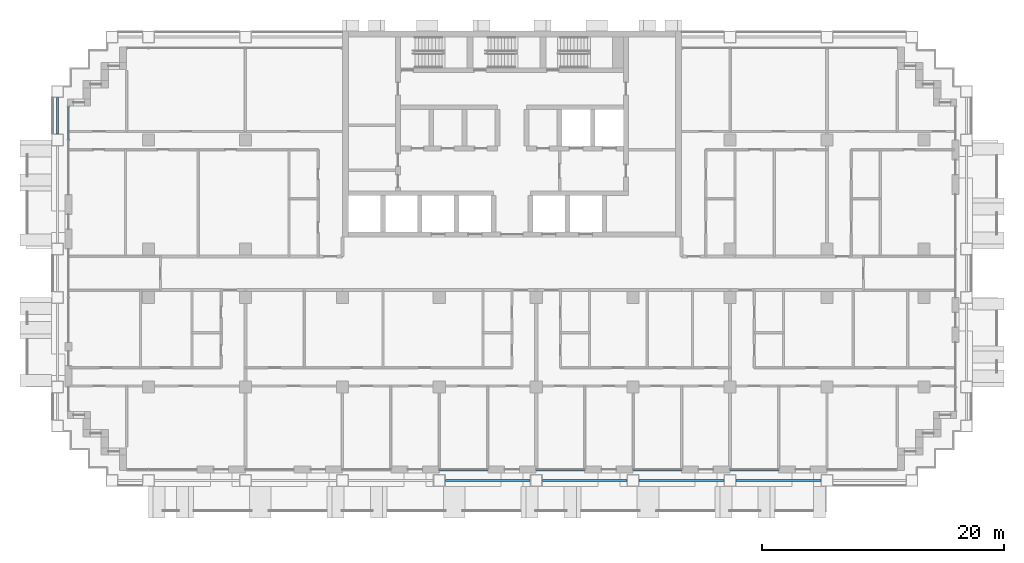
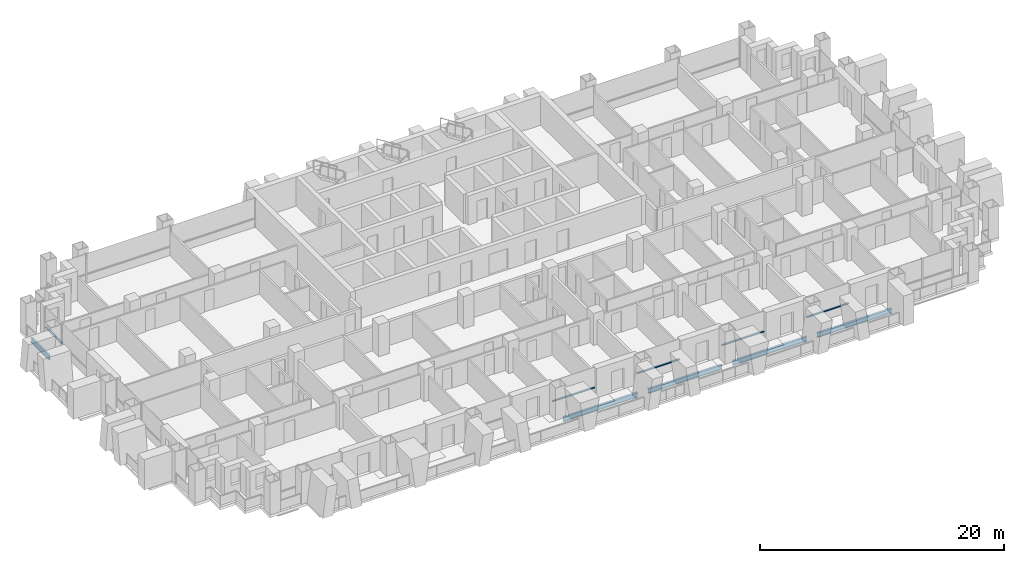
# One storey, part 3 of 18: 5 beams, 5 members, 5 elements without a shape of their own.
"""IFC4 building model written with IfcOpenShell, lengths in metres."""

from ifc_helpers import new_model, si_unit, direction, frame, origin, origin_2d, place, context, subcontext, project, spatial, rectangle, i_section, extrude, material, material_profile, profile_set, type_object, element, aggregate, save


model = new_model("IFC4")

# Units and contexts
model_context = context("Model", 3, precision=1e-05, world=origin(), true_north=direction((0.0, 1.0)))
body_context = subcontext(model_context, "Body", "Model", "MODEL_VIEW")
ifc_project = project(units=[si_unit("LENGTHUNIT", "METRE"), si_unit("AREAUNIT", "SQUARE_METRE"), si_unit("VOLUMEUNIT", "CUBIC_METRE"), si_unit("PLANEANGLEUNIT", "RADIAN"), si_unit("MASSUNIT", "GRAM", prefix="KILO")], contexts=[model_context])

# Site, building, storey
site_placement = place(None, origin())
site = spatial("IfcSite", under=ifc_project, at=site_placement, CompositionType="ELEMENT")
building_placement = place(site_placement, origin())
building = spatial("IfcBuilding", under=site, at=building_placement, Name="Vidyagriha Tower", CompositionType="ELEMENT")
storey_placement = place(building_placement, frame((0.0, 0.0, 41.60009765625)))
storey = spatial("IfcBuildingStorey", under=building, at=storey_placement, Name="L10", CompositionType="ELEMENT", Elevation=41.60009765625)

# Beams
ifc_material_1 = material(Name="Steel ASTM A992 Grade 50", Category="steel")
ifc_material_profile_1 = material_profile(ifc_material_1, i_section(OverallWidth=0.19189453125, OverallDepth=0.46240234375, WebThickness=0.010498046875, FlangeThickness=0.017578125, at=origin_2d()), Name="W18X60")
ifc_profile_set_1 = profile_set([ifc_material_profile_1], Name="Steel ASTM A992 Grade 50")
beam_type = type_object("IfcBeamType", Name="Edge beam W18X60", PredefinedType="SPANDREL", material=ifc_profile_set_1)
for number, where, z_axis, x_axis, name in (
    (1, (-5.5, -17.10009765625, -0.51123046875), (1.0, 0.0, 0.0), (0.0, 1.0, 0.0), "st-beam-L10-S05"),
    (2, (2.5, -17.10009765625, -0.51123046875), (1.0, 0.0, 0.0), (0.0, 1.0, 0.0), "st-beam-L10-S06"),
    (3, (10.5, -17.10009765625, -0.51123046875), (1.0, 0.0, 0.0), (0.0, 1.0, 0.0), "st-beam-L10-S07"),
    (4, (18.5, -17.10009765625, -0.51123046875), (1.0, 0.0, 0.0), (0.0, 1.0, 0.0), "st-beam-L10-S08"),
):
    element("IfcBeam", number, at=place(storey_placement, frame(where, z_axis=z_axis, x_axis=x_axis)), inside=storey, type_object=beam_type, Name=name, PredefinedType="SPANDREL", context=body_context, shape_type="SweptSolid", body=[
        extrude(i_section(OverallWidth=0.19189453125, OverallDepth=0.46240234375, WebThickness=0.010498046875, FlangeThickness=0.017578125, at=origin_2d()), origin(), (0.0, 0.0, 1.0), 7.0),
    ])
beam_placement = place(storey_placement, frame((-37.5, 11.5, -0.51123046875), z_axis=(0.0, 1.0, 0.0), x_axis=(-1.0, 0.0, 0.0)))
element("IfcBeam", 5, at=beam_placement, inside=storey, type_object=beam_type, Name="st-beam-L10-W14", PredefinedType="SPANDREL", context=body_context, shape_type="SweptSolid", body=[
    extrude(i_section(OverallWidth=0.19189453125, OverallDepth=0.46240234375, WebThickness=0.010498046875, FlangeThickness=0.017578125, at=origin_2d()), origin(), (0.0, 0.0, 1.0), 3.0),
])

# Curtain wall, member
ifc_material_2 = material(Name="Aluminium and glass curtain wall", Category="aluminium")
curtain_wall_type = type_object("IfcCurtainWallType", Name="Dwelling skin unitised curtain wall", PredefinedType="USERDEFINED", material=ifc_material_2)
curtain_wall_1_placement = place(storey_placement, origin())
curtain_wall_1 = element("IfcCurtainWall", 6, at=curtain_wall_1_placement, inside=storey, type_object=curtain_wall_type, Name="CW1 dwelling skin", ObjectType="UNITISED", PredefinedType="USERDEFINED")
ifc_material_3 = material(Name="Aluminium black anodised", Category="aluminium")
ifc_material_profile_2 = material_profile(ifc_material_3, rectangle(XDim=0.159912109375, YDim=0.10009765625, at=origin_2d()), Name="Transom 100x160 black aluminium")
ifc_profile_set_2 = profile_set([ifc_material_profile_2], Name="Aluminium black anodised")
member_type = type_object("IfcMemberType", Name="Transom 100x160 black aluminium", PredefinedType="USERDEFINED", material=ifc_profile_set_2)
member_1_placement = place(storey_placement, frame((-36.60009765625, 13.72998046875, 0.89990234375), z_axis=(0.0, -1.0, 0.0), x_axis=(1.0, 0.0, 0.0)))
member_1 = element("IfcMember", 7, at=member_1_placement, type_object=member_type, Name="CW1 transom 1.1", ObjectType="TRANSOM", PredefinedType="USERDEFINED", context=body_context, shape_type="SweptSolid", body=[
    extrude(rectangle(XDim=0.159912109375, YDim=0.10009765625, at=origin_2d()), origin(), (0.0, 0.0, 1.0), 2.695068359375),
])
aggregate(curtain_wall_1, [member_1])

curtain_wall_2_placement = place(storey_placement, origin())
curtain_wall_2 = element("IfcCurtainWall", 8, at=curtain_wall_2_placement, inside=storey, type_object=curtain_wall_type, Name="CW1 dwelling skin", ObjectType="UNITISED", PredefinedType="USERDEFINED")
member_2_placement = place(storey_placement, frame((-6.0, -16.199951171875, 0.89990234375), z_axis=(1.0, 0.0, 0.0), x_axis=(0.0, 1.0, 0.0)))
member_2 = element("IfcMember", 9, at=member_2_placement, type_object=member_type, Name="CW1 transom 1.1", ObjectType="TRANSOM", PredefinedType="USERDEFINED", context=body_context, shape_type="SweptSolid", body=[
    extrude(rectangle(XDim=0.159912109375, YDim=0.10009765625, at=origin_2d()), origin(), (0.0, 0.0, 1.0), 4.0),
])
aggregate(curtain_wall_2, [member_2])

curtain_wall_3_placement = place(storey_placement, origin())
curtain_wall_3 = element("IfcCurtainWall", 10, at=curtain_wall_3_placement, inside=storey, type_object=curtain_wall_type, Name="CW1 dwelling skin", ObjectType="UNITISED", PredefinedType="USERDEFINED")
member_3_placement = place(storey_placement, frame((2.0, -16.199951171875, 0.89990234375), z_axis=(1.0, 0.0, 0.0), x_axis=(0.0, 1.0, 0.0)))
member_3 = element("IfcMember", 11, at=member_3_placement, type_object=member_type, Name="CW1 transom 1.1", ObjectType="TRANSOM", PredefinedType="USERDEFINED", context=body_context, shape_type="SweptSolid", body=[
    extrude(rectangle(XDim=0.159912109375, YDim=0.10009765625, at=origin_2d()), origin(), (0.0, 0.0, 1.0), 4.0),
])
aggregate(curtain_wall_3, [member_3])

curtain_wall_4_placement = place(storey_placement, origin())
curtain_wall_4 = element("IfcCurtainWall", 12, at=curtain_wall_4_placement, inside=storey, type_object=curtain_wall_type, Name="CW1 dwelling skin", ObjectType="UNITISED", PredefinedType="USERDEFINED")
member_4_placement = place(storey_placement, frame((10.0, -16.199951171875, 0.89990234375), z_axis=(1.0, 0.0, 0.0), x_axis=(0.0, 1.0, 0.0)))
member_4 = element("IfcMember", 13, at=member_4_placement, type_object=member_type, Name="CW1 transom 1.1", ObjectType="TRANSOM", PredefinedType="USERDEFINED", context=body_context, shape_type="SweptSolid", body=[
    extrude(rectangle(XDim=0.159912109375, YDim=0.10009765625, at=origin_2d()), origin(), (0.0, 0.0, 1.0), 4.0),
])
aggregate(curtain_wall_4, [member_4])

curtain_wall_5_placement = place(storey_placement, origin())
curtain_wall_5 = element("IfcCurtainWall", 14, at=curtain_wall_5_placement, inside=storey, type_object=curtain_wall_type, Name="CW1 dwelling skin", ObjectType="UNITISED", PredefinedType="USERDEFINED")
member_5_placement = place(storey_placement, frame((18.0, -16.199951171875, 0.89990234375), z_axis=(1.0, 0.0, 0.0), x_axis=(0.0, 1.0, 0.0)))
member_5 = element("IfcMember", 15, at=member_5_placement, type_object=member_type, Name="CW1 transom 1.1", ObjectType="TRANSOM", PredefinedType="USERDEFINED", context=body_context, shape_type="SweptSolid", body=[
    extrude(rectangle(XDim=0.159912109375, YDim=0.10009765625, at=origin_2d()), origin(), (0.0, 0.0, 1.0), 4.0),
])
aggregate(curtain_wall_5, [member_5])

save(model, "model.ifc")
